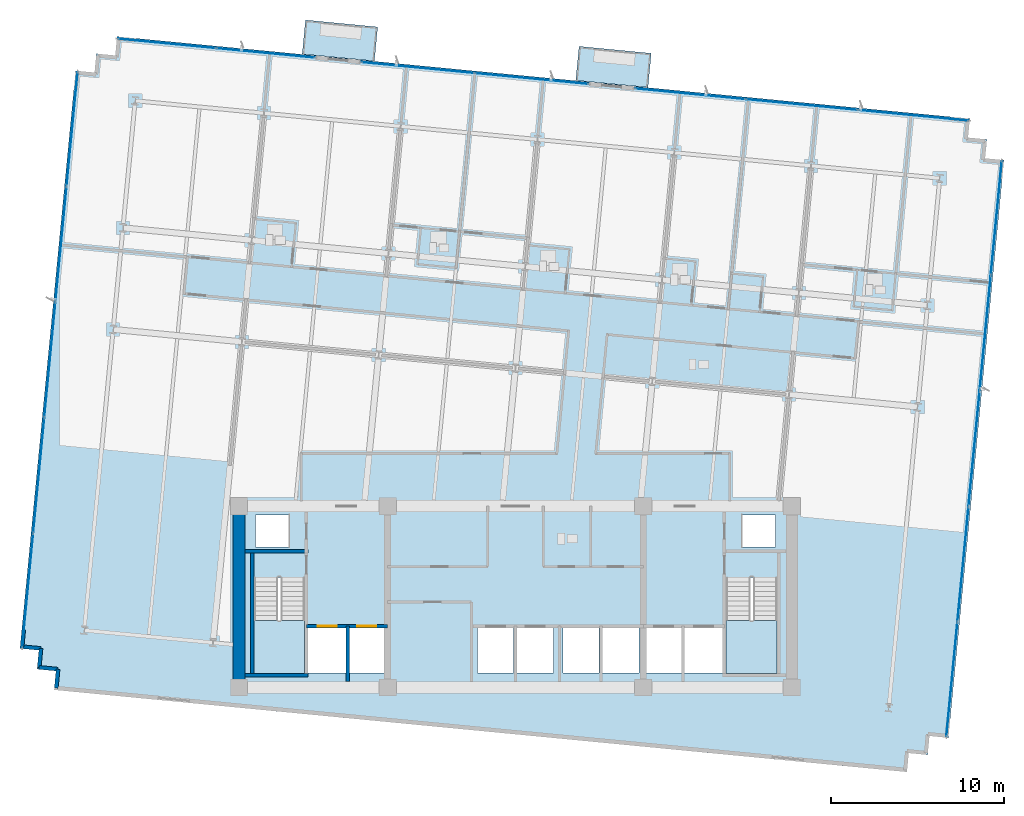
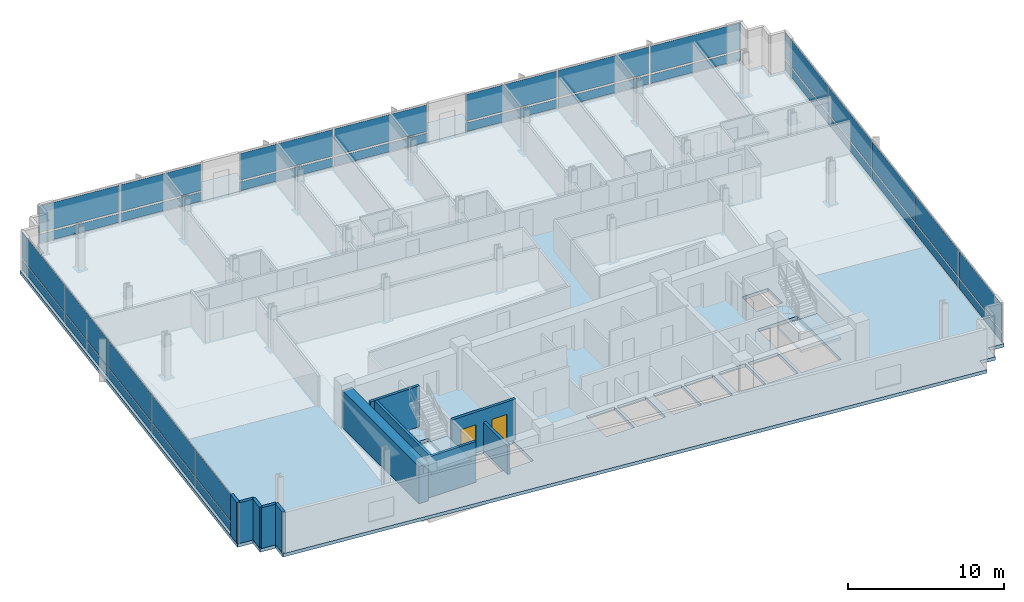
# One storey, part 9 of 17: 34 plates, 11 walls, 5 slabs, 2 doors, 2 openings, 7 elements without a shape of their own.
"""IFC4 building model written with IfcOpenShell, lengths in metres."""

from ifc_helpers import new_model, si_unit, direction, frame, frame_2d, origin, origin_2d, place, context, subcontext, project, spatial, polyline, rectangle, outline, extrude, material, layer, layer_set, type_object, element, fill, aggregate, save


model = new_model("IFC4")

# Units and contexts
model_context = context("Model", 3, precision=1e-05, world=origin(), true_north=direction((0.0, 1.0)))
body_context = subcontext(model_context, "Body", "Model", "MODEL_VIEW")
ifc_project = project(units=[si_unit("LENGTHUNIT", "METRE"), si_unit("AREAUNIT", "SQUARE_METRE"), si_unit("VOLUMEUNIT", "CUBIC_METRE"), si_unit("PLANEANGLEUNIT", "RADIAN"), si_unit("MASSUNIT", "GRAM", prefix="KILO")], contexts=[model_context])

# Site, building, storey
site_placement = place(None, origin())
site = spatial("IfcSite", under=ifc_project, at=site_placement, CompositionType="ELEMENT")
building_placement = place(site_placement, origin())
building = spatial("IfcBuilding", under=site, at=building_placement, Name="Solmavex Isthmus Hotel", CompositionType="ELEMENT")
storey_placement = place(building_placement, frame((0.0, 0.0, 142.800048828125)))
storey = spatial("IfcBuildingStorey", under=building, at=storey_placement, Name="L38", CompositionType="ELEMENT", Elevation=142.800048828125)

# Curtain wall, plates
ifc_material_1 = material(Name="Aluminium alloy 6063-T6", Category="aluminium")
curtain_wall_type = type_object("IfcCurtainWallType", Name="CW-SYS-03", PredefinedType="NOTDEFINED", material=ifc_material_1)
curtain_wall_1_placement = place(storey_placement, origin())
curtain_wall_1 = element("IfcCurtainWall", 1, at=curtain_wall_1_placement, inside=storey, type_object=curtain_wall_type, Name="Stick Curtain Wall CWL-L38-N1", PredefinedType="NOTDEFINED")
ifc_material_2 = material(Name="Clear low-E laminated glass", Category="glass")
ifc_layer_1 = layer(ifc_material_2, 0.030029296875)
ifc_layer_set_1 = layer_set([ifc_layer_1], Name="Clear low-E laminated glass")
plate_type = type_object("IfcPlateType", Name="CW-SYS-03-PNL", PredefinedType="CURTAIN_PANEL", material=ifc_layer_set_1)
plate_1_placement = place(storey_placement, frame((-20.1806640625, 24.291259765625, 0.139892578125), z_axis=(0.0, 0.0, 1.0), x_axis=(0.995396220659, -0.095845521008, 0.0)))
plate_1 = element("IfcPlate", 2, at=plate_1_placement, type_object=plate_type, Name="CW-03 panel 1.1", PredefinedType="CURTAIN_PANEL", context=body_context, shape_type="SweptSolid", body=[
    extrude(rectangle(XDim=5.677978515625, YDim=0.030029296875, at=origin_2d()), origin(), (0.0, 0.0, 1.0), 0.68994140625),
])
plate_2_placement = place(storey_placement, frame((-20.1806640625, 24.291259765625, 0.969970703125), z_axis=(0.0, 0.0, 1.0), x_axis=(0.995396220659, -0.095845521008, 0.0)))
plate_2 = element("IfcPlate", 3, at=plate_2_placement, type_object=plate_type, Name="CW-03 panel 1.2", PredefinedType="CURTAIN_PANEL", context=body_context, shape_type="SweptSolid", body=[
    extrude(rectangle(XDim=5.677978515625, YDim=0.030029296875, at=origin_2d()), origin(), (0.0, 0.0, 1.0), 2.080078125),
])
plate_3_placement = place(storey_placement, frame((-14.459228515625, 23.740234375, 0.139892578125), z_axis=(0.0, 0.0, 1.0), x_axis=(0.995396220659, -0.095845521008, 0.0)))
plate_3 = element("IfcPlate", 4, at=plate_3_placement, type_object=plate_type, Name="CW-03 panel 2.1", PredefinedType="CURTAIN_PANEL", context=body_context, shape_type="SweptSolid", body=[
    extrude(rectangle(XDim=5.677978515625, YDim=0.030029296875, at=origin_2d()), origin(), (0.0, 0.0, 1.0), 0.68994140625),
])
plate_4_placement = place(storey_placement, frame((-14.459228515625, 23.740234375, 0.969970703125), z_axis=(0.0, 0.0, 1.0), x_axis=(0.995396220659, -0.095845521008, 0.0)))
plate_4 = element("IfcPlate", 5, at=plate_4_placement, type_object=plate_type, Name="CW-03 panel 2.2", PredefinedType="CURTAIN_PANEL", context=body_context, shape_type="SweptSolid", body=[
    extrude(rectangle(XDim=5.677978515625, YDim=0.030029296875, at=origin_2d()), origin(), (0.0, 0.0, 1.0), 2.080078125),
])
aggregate(curtain_wall_1, [plate_1, plate_2, plate_3, plate_4])

curtain_wall_2_placement = place(storey_placement, origin())
curtain_wall_2 = element("IfcCurtainWall", 6, at=curtain_wall_2_placement, inside=storey, type_object=curtain_wall_type, Name="Stick Curtain Wall CWL-L38-N2", PredefinedType="NOTDEFINED")
plate_5_placement = place(storey_placement, frame((-5.645263671875, 22.8916015625, 0.139892578125), z_axis=(0.0, 0.0, 1.0), x_axis=(0.995396257521, -0.095845138178, 0.0)))
plate_5 = element("IfcPlate", 7, at=plate_5_placement, type_object=plate_type, Name="CW-03 panel 1.1", PredefinedType="CURTAIN_PANEL", context=body_context, shape_type="SweptSolid", body=[
    extrude(rectangle(XDim=6.551025390625, YDim=0.030029296875, at=origin_2d()), origin(), (0.0, 0.0, 1.0), 0.68994140625),
])
plate_6_placement = place(storey_placement, frame((-5.645263671875, 22.8916015625, 0.969970703125), z_axis=(0.0, 0.0, 1.0), x_axis=(0.995396257521, -0.095845138178, 0.0)))
plate_6 = element("IfcPlate", 8, at=plate_6_placement, type_object=plate_type, Name="CW-03 panel 1.2", PredefinedType="CURTAIN_PANEL", context=body_context, shape_type="SweptSolid", body=[
    extrude(rectangle(XDim=6.551025390625, YDim=0.030029296875, at=origin_2d()), origin(), (0.0, 0.0, 1.0), 2.080078125),
])
plate_7_placement = place(storey_placement, frame((0.945068359375, 22.257080078125, 0.139892578125), z_axis=(0.0, 0.0, 1.0), x_axis=(0.995396257521, -0.095845138178, 0.0)))
plate_7 = element("IfcPlate", 9, at=plate_7_placement, type_object=plate_type, Name="CW-03 panel 2.1", PredefinedType="CURTAIN_PANEL", context=body_context, shape_type="SweptSolid", body=[
    extrude(rectangle(XDim=6.551025390625, YDim=0.030029296875, at=origin_2d()), origin(), (0.0, 0.0, 1.0), 0.68994140625),
])
plate_8_placement = place(storey_placement, frame((0.945068359375, 22.257080078125, 0.969970703125), z_axis=(0.0, 0.0, 1.0), x_axis=(0.995396257521, -0.095845138178, 0.0)))
plate_8 = element("IfcPlate", 10, at=plate_8_placement, type_object=plate_type, Name="CW-03 panel 2.2", PredefinedType="CURTAIN_PANEL", context=body_context, shape_type="SweptSolid", body=[
    extrude(rectangle(XDim=6.551025390625, YDim=0.030029296875, at=origin_2d()), origin(), (0.0, 0.0, 1.0), 2.080078125),
])
aggregate(curtain_wall_2, [plate_5, plate_6, plate_7, plate_8])

curtain_wall_3_placement = place(storey_placement, origin())
curtain_wall_3 = element("IfcCurtainWall", 11, at=curtain_wall_3_placement, inside=storey, type_object=curtain_wall_type, Name="Stick Curtain Wall CWL-L38-N3", PredefinedType="NOTDEFINED")
plate_9_placement = place(storey_placement, frame((10.119384765625, 21.373779296875, 0.139892578125), z_axis=(0.0, 0.0, 1.0), x_axis=(0.995396200025, -0.095845735304, 0.0)))
plate_9 = element("IfcPlate", 12, at=plate_9_placement, type_object=plate_type, Name="CW-03 panel 1.1", PredefinedType="CURTAIN_PANEL", context=body_context, shape_type="SweptSolid", body=[
    extrude(rectangle(XDim=6.40234375, YDim=0.030029296875, at=origin_2d()), origin(), (0.0, 0.0, 1.0), 0.68994140625),
])
plate_10_placement = place(storey_placement, frame((10.119384765625, 21.373779296875, 0.969970703125), z_axis=(0.0, 0.0, 1.0), x_axis=(0.995396200025, -0.095845735304, 0.0)))
plate_10 = element("IfcPlate", 13, at=plate_10_placement, type_object=plate_type, Name="CW-03 panel 1.2", PredefinedType="CURTAIN_PANEL", context=body_context, shape_type="SweptSolid", body=[
    extrude(rectangle(XDim=6.40234375, YDim=0.030029296875, at=origin_2d()), origin(), (0.0, 0.0, 1.0), 2.080078125),
])
plate_11_placement = place(storey_placement, frame((16.579345703125, 20.751708984375, 0.139892578125), z_axis=(0.0, 0.0, 1.0), x_axis=(0.995396200025, -0.095845735304, 0.0)))
plate_11 = element("IfcPlate", 14, at=plate_11_placement, type_object=plate_type, Name="CW-03 panel 2.1", PredefinedType="CURTAIN_PANEL", context=body_context, shape_type="SweptSolid", body=[
    extrude(rectangle(XDim=6.437255859375, YDim=0.030029296875, at=origin_2d()), origin(), (0.0, 0.0, 1.0), 0.68994140625),
])
plate_12_placement = place(storey_placement, frame((16.579345703125, 20.751708984375, 0.969970703125), z_axis=(0.0, 0.0, 1.0), x_axis=(0.995396200025, -0.095845735304, 0.0)))
plate_12 = element("IfcPlate", 15, at=plate_12_placement, type_object=plate_type, Name="CW-03 panel 2.2", PredefinedType="CURTAIN_PANEL", context=body_context, shape_type="SweptSolid", body=[
    extrude(rectangle(XDim=6.437255859375, YDim=0.030029296875, at=origin_2d()), origin(), (0.0, 0.0, 1.0), 2.080078125),
])
plate_13_placement = place(storey_placement, frame((23.039306640625, 20.129638671875, 0.139892578125), z_axis=(0.0, 0.0, 1.0), x_axis=(0.995396200025, -0.095845735304, 0.0)))
plate_13 = element("IfcPlate", 16, at=plate_13_placement, type_object=plate_type, Name="CW-03 panel 3.1", PredefinedType="CURTAIN_PANEL", context=body_context, shape_type="SweptSolid", body=[
    extrude(rectangle(XDim=6.40234375, YDim=0.030029296875, at=origin_2d()), origin(), (0.0, 0.0, 1.0), 0.68994140625),
])
plate_14_placement = place(storey_placement, frame((23.039306640625, 20.129638671875, 0.969970703125), z_axis=(0.0, 0.0, 1.0), x_axis=(0.995396200025, -0.095845735304, 0.0)))
plate_14 = element("IfcPlate", 17, at=plate_14_placement, type_object=plate_type, Name="CW-03 panel 3.2", PredefinedType="CURTAIN_PANEL", context=body_context, shape_type="SweptSolid", body=[
    extrude(rectangle(XDim=6.40234375, YDim=0.030029296875, at=origin_2d()), origin(), (0.0, 0.0, 1.0), 2.080078125),
])
aggregate(curtain_wall_3, [plate_9, plate_10, plate_11, plate_12, plate_13, plate_14])

curtain_wall_4_placement = place(storey_placement, origin())
curtain_wall_4 = element("IfcCurtainWall", 18, at=curtain_wall_4_placement, inside=storey, type_object=curtain_wall_type, Name="Stick Curtain Wall CWL-L38-W1", PredefinedType="NOTDEFINED")
plate_15_placement = place(storey_placement, frame((-28.24267578125, -7.38427734375, 0.139892578125), z_axis=(0.0, 0.0, 1.0), x_axis=(0.09584583902, 0.995396190038, 0.0)))
plate_15 = element("IfcPlate", 19, at=plate_15_placement, type_object=plate_type, Name="CW-03 panel 1.1", PredefinedType="CURTAIN_PANEL", context=body_context, shape_type="SweptSolid", body=[
    extrude(rectangle(XDim=6.614990234375, YDim=0.030029296875, at=origin_2d()), origin(), (0.0, 0.0, 1.0), 0.68994140625),
])
plate_16_placement = place(storey_placement, frame((-28.24267578125, -7.38427734375, 0.969970703125), z_axis=(0.0, 0.0, 1.0), x_axis=(0.09584583902, 0.995396190038, 0.0)))
plate_16 = element("IfcPlate", 20, at=plate_16_placement, type_object=plate_type, Name="CW-03 panel 1.2", PredefinedType="CURTAIN_PANEL", context=body_context, shape_type="SweptSolid", body=[
    extrude(rectangle(XDim=6.614990234375, YDim=0.030029296875, at=origin_2d()), origin(), (0.0, 0.0, 1.0), 2.080078125),
])
plate_17_placement = place(storey_placement, frame((-27.600341796875, -0.712646484375, 0.139892578125), z_axis=(0.0, 0.0, 1.0), x_axis=(0.09584583902, 0.995396190038, 0.0)))
plate_17 = element("IfcPlate", 21, at=plate_17_placement, type_object=plate_type, Name="CW-03 panel 2.1", PredefinedType="CURTAIN_PANEL", context=body_context, shape_type="SweptSolid", body=[
    extrude(rectangle(XDim=6.64990234375, YDim=0.030029296875, at=origin_2d()), origin(), (0.0, 0.0, 1.0), 0.68994140625),
])
plate_18_placement = place(storey_placement, frame((-27.600341796875, -0.712646484375, 0.969970703125), z_axis=(0.0, 0.0, 1.0), x_axis=(0.09584583902, 0.995396190038, 0.0)))
plate_18 = element("IfcPlate", 22, at=plate_18_placement, type_object=plate_type, Name="CW-03 panel 2.2", PredefinedType="CURTAIN_PANEL", context=body_context, shape_type="SweptSolid", body=[
    extrude(rectangle(XDim=6.64990234375, YDim=0.030029296875, at=origin_2d()), origin(), (0.0, 0.0, 1.0), 2.080078125),
])
plate_19_placement = place(storey_placement, frame((-26.956298828125, 5.976318359375, 0.139892578125), z_axis=(0.0, 0.0, 1.0), x_axis=(0.09584583902, 0.995396190038, 0.0)))
plate_19 = element("IfcPlate", 23, at=plate_19_placement, type_object=plate_type, Name="CW-03 panel 3.1", PredefinedType="CURTAIN_PANEL", context=body_context, shape_type="SweptSolid", body=[
    extrude(rectangle(XDim=6.64990234375, YDim=0.030029296875, at=origin_2d()), origin(), (0.0, 0.0, 1.0), 0.68994140625),
])
plate_20_placement = place(storey_placement, frame((-26.956298828125, 5.976318359375, 0.969970703125), z_axis=(0.0, 0.0, 1.0), x_axis=(0.09584583902, 0.995396190038, 0.0)))
plate_20 = element("IfcPlate", 24, at=plate_20_placement, type_object=plate_type, Name="CW-03 panel 3.2", PredefinedType="CURTAIN_PANEL", context=body_context, shape_type="SweptSolid", body=[
    extrude(rectangle(XDim=6.64990234375, YDim=0.030029296875, at=origin_2d()), origin(), (0.0, 0.0, 1.0), 2.080078125),
])
plate_21_placement = place(storey_placement, frame((-26.312255859375, 12.665283203125, 0.139892578125), z_axis=(0.0, 0.0, 1.0), x_axis=(0.09584583902, 0.995396190038, 0.0)))
plate_21 = element("IfcPlate", 25, at=plate_21_placement, type_object=plate_type, Name="CW-03 panel 4.1", PredefinedType="CURTAIN_PANEL", context=body_context, shape_type="SweptSolid", body=[
    extrude(rectangle(XDim=6.64990234375, YDim=0.030029296875, at=origin_2d()), origin(), (0.0, 0.0, 1.0), 0.68994140625),
])
plate_22_placement = place(storey_placement, frame((-26.312255859375, 12.665283203125, 0.969970703125), z_axis=(0.0, 0.0, 1.0), x_axis=(0.09584583902, 0.995396190038, 0.0)))
plate_22 = element("IfcPlate", 26, at=plate_22_placement, type_object=plate_type, Name="CW-03 panel 4.2", PredefinedType="CURTAIN_PANEL", context=body_context, shape_type="SweptSolid", body=[
    extrude(rectangle(XDim=6.64990234375, YDim=0.030029296875, at=origin_2d()), origin(), (0.0, 0.0, 1.0), 2.080078125),
])
plate_23_placement = place(storey_placement, frame((-25.669677734375, 19.337158203125, 0.139892578125), z_axis=(0.0, 0.0, 1.0), x_axis=(0.09584583902, 0.995396190038, 0.0)))
plate_23 = element("IfcPlate", 27, at=plate_23_placement, type_object=plate_type, Name="CW-03 panel 5.1", PredefinedType="CURTAIN_PANEL", context=body_context, shape_type="SweptSolid", body=[
    extrude(rectangle(XDim=6.614990234375, YDim=0.030029296875, at=origin_2d()), origin(), (0.0, 0.0, 1.0), 0.68994140625),
])
plate_24_placement = place(storey_placement, frame((-25.669677734375, 19.337158203125, 0.969970703125), z_axis=(0.0, 0.0, 1.0), x_axis=(0.09584583902, 0.995396190038, 0.0)))
plate_24 = element("IfcPlate", 28, at=plate_24_placement, type_object=plate_type, Name="CW-03 panel 5.2", PredefinedType="CURTAIN_PANEL", context=body_context, shape_type="SweptSolid", body=[
    extrude(rectangle(XDim=6.614990234375, YDim=0.030029296875, at=origin_2d()), origin(), (0.0, 0.0, 1.0), 2.080078125),
])
aggregate(curtain_wall_4, [plate_15, plate_16, plate_17, plate_18, plate_19, plate_20, plate_21, plate_22, plate_23, plate_24])

curtain_wall_5_placement = place(storey_placement, origin())
curtain_wall_5 = element("IfcCurtainWall", 29, at=curtain_wall_5_placement, inside=storey, type_object=curtain_wall_type, Name="Stick Curtain Wall CWL-L38-E1", PredefinedType="NOTDEFINED")
plate_25_placement = place(storey_placement, frame((25.269775390625, -12.537109375, 0.139892578125), z_axis=(0.0, 0.0, 1.0), x_axis=(0.09584583902, 0.995396190038, 0.0)))
plate_25 = element("IfcPlate", 30, at=plate_25_placement, type_object=plate_type, Name="CW-03 panel 1.1", PredefinedType="CURTAIN_PANEL", context=body_context, shape_type="SweptSolid", body=[
    extrude(rectangle(XDim=6.614990234375, YDim=0.030029296875, at=origin_2d()), origin(), (0.0, 0.0, 1.0), 0.68994140625),
])
plate_26_placement = place(storey_placement, frame((25.269775390625, -12.537109375, 0.969970703125), z_axis=(0.0, 0.0, 1.0), x_axis=(0.09584583902, 0.995396190038, 0.0)))
plate_26 = element("IfcPlate", 31, at=plate_26_placement, type_object=plate_type, Name="CW-03 panel 1.2", PredefinedType="CURTAIN_PANEL", context=body_context, shape_type="SweptSolid", body=[
    extrude(rectangle(XDim=6.614990234375, YDim=0.030029296875, at=origin_2d()), origin(), (0.0, 0.0, 1.0), 2.080078125),
])
plate_27_placement = place(storey_placement, frame((25.912109375, -5.865478515625, 0.139892578125), z_axis=(0.0, 0.0, 1.0), x_axis=(0.09584583902, 0.995396190038, 0.0)))
plate_27 = element("IfcPlate", 32, at=plate_27_placement, type_object=plate_type, Name="CW-03 panel 2.1", PredefinedType="CURTAIN_PANEL", context=body_context, shape_type="SweptSolid", body=[
    extrude(rectangle(XDim=6.64990234375, YDim=0.030029296875, at=origin_2d()), origin(), (0.0, 0.0, 1.0), 0.68994140625),
])
plate_28_placement = place(storey_placement, frame((25.912109375, -5.865478515625, 0.969970703125), z_axis=(0.0, 0.0, 1.0), x_axis=(0.09584583902, 0.995396190038, 0.0)))
plate_28 = element("IfcPlate", 33, at=plate_28_placement, type_object=plate_type, Name="CW-03 panel 2.2", PredefinedType="CURTAIN_PANEL", context=body_context, shape_type="SweptSolid", body=[
    extrude(rectangle(XDim=6.64990234375, YDim=0.030029296875, at=origin_2d()), origin(), (0.0, 0.0, 1.0), 2.080078125),
])
plate_29_placement = place(storey_placement, frame((26.55615234375, 0.82373046875, 0.139892578125), z_axis=(0.0, 0.0, 1.0), x_axis=(0.09584583902, 0.995396190038, 0.0)))
plate_29 = element("IfcPlate", 34, at=plate_29_placement, type_object=plate_type, Name="CW-03 panel 3.1", PredefinedType="CURTAIN_PANEL", context=body_context, shape_type="SweptSolid", body=[
    extrude(rectangle(XDim=6.64990234375, YDim=0.030029296875, at=origin_2d()), origin(), (0.0, 0.0, 1.0), 0.68994140625),
])
plate_30_placement = place(storey_placement, frame((26.55615234375, 0.82373046875, 0.969970703125), z_axis=(0.0, 0.0, 1.0), x_axis=(0.09584583902, 0.995396190038, 0.0)))
plate_30 = element("IfcPlate", 35, at=plate_30_placement, type_object=plate_type, Name="CW-03 panel 3.2", PredefinedType="CURTAIN_PANEL", context=body_context, shape_type="SweptSolid", body=[
    extrude(rectangle(XDim=6.64990234375, YDim=0.030029296875, at=origin_2d()), origin(), (0.0, 0.0, 1.0), 2.080078125),
])
plate_31_placement = place(storey_placement, frame((27.200439453125, 7.5126953125, 0.139892578125), z_axis=(0.0, 0.0, 1.0), x_axis=(0.09584583902, 0.995396190038, 0.0)))
plate_31 = element("IfcPlate", 36, at=plate_31_placement, type_object=plate_type, Name="CW-03 panel 4.1", PredefinedType="CURTAIN_PANEL", context=body_context, shape_type="SweptSolid", body=[
    extrude(rectangle(XDim=6.64990234375, YDim=0.030029296875, at=origin_2d()), origin(), (0.0, 0.0, 1.0), 0.68994140625),
])
plate_32_placement = place(storey_placement, frame((27.200439453125, 7.5126953125, 0.969970703125), z_axis=(0.0, 0.0, 1.0), x_axis=(0.09584583902, 0.995396190038, 0.0)))
plate_32 = element("IfcPlate", 37, at=plate_32_placement, type_object=plate_type, Name="CW-03 panel 4.2", PredefinedType="CURTAIN_PANEL", context=body_context, shape_type="SweptSolid", body=[
    extrude(rectangle(XDim=6.64990234375, YDim=0.030029296875, at=origin_2d()), origin(), (0.0, 0.0, 1.0), 2.080078125),
])
plate_33_placement = place(storey_placement, frame((27.8427734375, 14.184326171875, 0.139892578125), z_axis=(0.0, 0.0, 1.0), x_axis=(0.09584583902, 0.995396190038, 0.0)))
plate_33 = element("IfcPlate", 38, at=plate_33_placement, type_object=plate_type, Name="CW-03 panel 5.1", PredefinedType="CURTAIN_PANEL", context=body_context, shape_type="SweptSolid", body=[
    extrude(rectangle(XDim=6.614990234375, YDim=0.030029296875, at=origin_2d()), origin(), (0.0, 0.0, 1.0), 0.68994140625),
])
plate_34_placement = place(storey_placement, frame((27.8427734375, 14.184326171875, 0.969970703125), z_axis=(0.0, 0.0, 1.0), x_axis=(0.09584583902, 0.995396190038, 0.0)))
plate_34 = element("IfcPlate", 39, at=plate_34_placement, type_object=plate_type, Name="CW-03 panel 5.2", PredefinedType="CURTAIN_PANEL", context=body_context, shape_type="SweptSolid", body=[
    extrude(rectangle(XDim=6.614990234375, YDim=0.030029296875, at=origin_2d()), origin(), (0.0, 0.0, 1.0), 2.080078125),
])
aggregate(curtain_wall_5, [plate_25, plate_26, plate_27, plate_28, plate_29, plate_30, plate_31, plate_32, plate_33, plate_34])

# Slabs
ifc_material_3 = material(Name="Concrete C40/50", Category="concrete")
ifc_layer_2 = layer(ifc_material_3, 0.239990234375)
ifc_layer_set_2 = layer_set([ifc_layer_2], Name="Concrete C40/50")
slab_type_1 = type_object("IfcSlabType", Name="SLAB-BALC-240", PredefinedType="FLOOR", material=ifc_layer_set_2)
slab_1_placement = place(storey_placement, frame((0.0, 0.0, -0.239990234375)))
element("IfcSlab", 40, at=slab_1_placement, inside=storey, type_object=slab_type_1, Name="Tree-Planter Balcony Slab L38-B1", PredefinedType="FLOOR", context=body_context, shape_type="SweptSolid", body=[
    extrude(outline(polyline([(-12.346923828125, 23.672607421875), (-8.166259765625, 23.27001953125), (-7.97607421875, 25.245849609375), (-12.15673828125, 25.6484375), (-12.346923828125, 23.672607421875)])), origin(), (0.0, 0.0, 1.0), 0.239990234375),
])
slab_2_placement = place(storey_placement, frame((0.0, 0.0, -0.239990234375)))
element("IfcSlab", 41, at=slab_2_placement, inside=storey, type_object=slab_type_1, Name="Tree-Planter Balcony Slab L38-B2", PredefinedType="FLOOR", context=body_context, shape_type="SweptSolid", body=[
    extrude(outline(polyline([(3.491943359375, 22.1474609375), (7.672607421875, 21.744873046875), (7.86279296875, 23.720703125), (3.68212890625, 24.123291015625), (3.491943359375, 22.1474609375)])), origin(), (0.0, 0.0, 1.0), 0.239990234375),
])
ifc_layer_3 = layer(ifc_material_3, 0.260009765625)
ifc_layer_set_3 = layer_set([ifc_layer_3], Name="Concrete C40/50")
slab_type_2 = type_object("IfcSlabType", Name="SLAB-TYP-260", PredefinedType="FLOOR", material=ifc_layer_set_3)
slab_3_placement = place(storey_placement, frame((0.0, 0.0, -0.260009765625)))
element("IfcSlab", 42, at=slab_3_placement, inside=storey, type_object=slab_type_2, Name="Tower Structural Floor Slab L38", PredefinedType="FLOOR", context=body_context, shape_type="SweptSolid", body=[
    extrude(outline(polyline([(-25.612060546875, -13.240966796875), (21.56982421875, -17.7841796875), (22.664794921875, -17.889404296875), (22.770263671875, -16.794677734375), (23.865234375, -16.89990234375), (23.970458984375, -15.80517578125), (25.0654296875, -15.910400390625), (25.1708984375, -14.815673828125), (28.180419921875, 16.43994140625), (28.285888671875, 17.534912109375), (27.19091796875, 17.64013671875), (27.29638671875, 18.735107421875), (26.201416015625, 18.840576171875), (26.306884765625, 19.935546875), (25.2119140625, 20.041015625), (-21.9697265625, 24.583984375), (-23.064697265625, 24.689453125), (-23.170166015625, 23.594482421875), (-24.26513671875, 23.699951171875), (-24.37060546875, 22.60498046875), (-25.465576171875, 22.71044921875), (-25.57080078125, 21.615478515625), (-28.58056640625, -9.639892578125), (-28.685791015625, -10.73486328125), (-27.591064453125, -10.84033203125), (-27.6962890625, -11.935302734375), (-26.6015625, -12.04052734375), (-26.706787109375, -13.135498046875), (-25.612060546875, -13.240966796875)]), holes=[polyline([(-15.14990234375, -6.617919921875), (-15.14990234375, -12.199951171875), (-12.199951171875, -12.199951171875), (-12.199951171875, -6.617919921875), (-15.14990234375, -6.617919921875)]), polyline([(12.199951171875, -6.617919921875), (12.199951171875, -12.199951171875), (15.14990234375, -12.199951171875), (15.14990234375, -6.617919921875), (12.199951171875, -6.617919921875)]), polyline([(-12.0, -12.14990234375), (-9.800048828125, -12.14990234375), (-9.800048828125, -9.550048828125), (-12.0, -9.550048828125), (-12.0, -12.14990234375)]), polyline([(9.800048828125, -12.14990234375), (12.0, -12.14990234375), (12.0, -9.550048828125), (9.800048828125, -9.550048828125), (9.800048828125, -12.14990234375)]), polyline([(-9.60009765625, -12.14990234375), (-7.60009765625, -12.14990234375), (-7.60009765625, -9.550048828125), (-9.60009765625, -9.550048828125), (-9.60009765625, -12.14990234375)]), polyline([(7.60009765625, -12.14990234375), (9.60009765625, -12.14990234375), (9.60009765625, -9.550048828125), (7.60009765625, -9.550048828125), (7.60009765625, -12.14990234375)]), polyline([(-2.199951171875, -12.14990234375), (-0.10009765625, -12.14990234375), (-0.10009765625, -9.550048828125), (-2.199951171875, -9.550048828125), (-2.199951171875, -12.14990234375)]), polyline([(0.10009765625, -12.14990234375), (2.199951171875, -12.14990234375), (2.199951171875, -9.550048828125), (0.10009765625, -9.550048828125), (0.10009765625, -12.14990234375)]), polyline([(2.75, -12.14990234375), (4.85009765625, -12.14990234375), (4.85009765625, -9.550048828125), (2.75, -9.550048828125), (2.75, -12.14990234375)]), polyline([(5.050048828125, -12.14990234375), (7.14990234375, -12.14990234375), (7.14990234375, -9.550048828125), (5.050048828125, -9.550048828125), (5.050048828125, -12.14990234375)]), polyline([(-15.050048828125, -4.85009765625), (-13.14990234375, -4.85009765625), (-13.14990234375, -3.0), (-15.050048828125, -3.0), (-15.050048828125, -4.85009765625)]), polyline([(13.14990234375, -4.85009765625), (15.050048828125, -4.85009765625), (15.050048828125, -3.0), (13.14990234375, -3.0), (13.14990234375, -4.85009765625)])]), origin(), (0.0, 0.0, 1.0), 0.260009765625),
])

# Stair, slab
stair_type_1 = type_object("IfcStairType", Name="STR-ST-1", PredefinedType="HALF_TURN_STAIR", material=ifc_material_3)
stair_1_placement = place(storey_placement, origin())
stair_1 = element("IfcStair", 43, at=stair_1_placement, inside=storey, type_object=stair_type_1, Name="L38 Protected Exit Stair ST-1", PredefinedType="HALF_TURN_STAIR")
ifc_layer_4 = layer(ifc_material_3, 0.219970703125)
ifc_layer_set_4 = layer_set([ifc_layer_4], Name="Concrete C40/50")
slab_type_3 = type_object("IfcSlabType", Name="SLD-ST-1", PredefinedType="LANDING", material=ifc_layer_set_4)
slab_4_placement = place(storey_placement, frame((0.0, 0.0, 1.52490234375)))
slab_4 = element("IfcSlab", 44, at=slab_4_placement, type_object=slab_type_3, Name="ST-1 landing 1", PredefinedType="LANDING", context=body_context, shape_type="SweptSolid", body=[
    extrude(outline(polyline([(-15.14990234375, -9.1201171875), (-15.14990234375, -12.199951171875), (-12.199951171875, -12.199951171875), (-12.199951171875, -9.1201171875), (-15.14990234375, -9.1201171875)])), origin(), (0.0, 0.0, 1.0), 0.199951171875),
])
aggregate(stair_1, [slab_4])

stair_type_2 = type_object("IfcStairType", Name="STR-ST-2", PredefinedType="HALF_TURN_STAIR", material=ifc_material_3)
stair_2_placement = place(storey_placement, origin())
stair_2 = element("IfcStair", 45, at=stair_2_placement, inside=storey, type_object=stair_type_2, Name="L38 Protected Exit Stair ST-2", PredefinedType="HALF_TURN_STAIR")
ifc_layer_5 = layer(ifc_material_3, 0.219970703125)
ifc_layer_set_5 = layer_set([ifc_layer_5], Name="Concrete C40/50")
slab_type_4 = type_object("IfcSlabType", Name="SLD-ST-2", PredefinedType="LANDING", material=ifc_layer_set_5)
slab_5_placement = place(storey_placement, frame((0.0, 0.0, 1.52490234375)))
slab_5 = element("IfcSlab", 46, at=slab_5_placement, type_object=slab_type_4, Name="ST-2 landing 1", PredefinedType="LANDING", context=body_context, shape_type="SweptSolid", body=[
    extrude(outline(polyline([(12.199951171875, -9.1201171875), (12.199951171875, -12.199951171875), (15.14990234375, -12.199951171875), (15.14990234375, -9.1201171875), (12.199951171875, -9.1201171875)])), origin(), (0.0, 0.0, 1.0), 0.199951171875),
])
aggregate(stair_2, [slab_5])

# Walls
ifc_material_4 = material(Name="Precast Concrete C40/50", Category="concrete")
ifc_layer_6 = layer(ifc_material_4, 0.25)
ifc_layer_set_6 = layer_set([ifc_layer_6], Name="Precast Concrete C40/50")
wall_type_1 = type_object("IfcWallType", Name="EW-TWR-250", PredefinedType="STANDARD", material=ifc_layer_set_6)
for number, where, z_axis, x_axis, name in (
    (47, (-26.5869140625, -13.03662109375, 0.0), (0.0, 0.0, 1.0), (0.095877334176, 0.995393156894, 0.0), "Serrated Corner Facade Panel L38-01"),
    (48, (-26.4814453125, -11.941650390625, 0.0), (0.0, 0.0, 1.0), (-0.995393156894, 0.095877334176, 0.0), "Serrated Corner Facade Panel L38-02"),
    (49, (-27.576416015625, -11.836181640625, 0.0), (0.0, 0.0, 1.0), (0.095877334176, 0.995393156894, 0.0), "Serrated Corner Facade Panel L38-03"),
    (50, (-27.470947265625, -10.7412109375, 0.0), (0.0, 0.0, 1.0), (-0.995414313875, 0.095657429048, 0.0), "Serrated Corner Facade Panel L38-04"),
):
    element("IfcWall", number, at=place(storey_placement, frame(where, z_axis=z_axis, x_axis=x_axis)), inside=storey, type_object=wall_type_1, Name=name, PredefinedType="STANDARD", context=body_context, shape_type="SweptSolid", body=[
        extrude(rectangle(XDim=1.10009765625, YDim=0.219970703125, at=frame_2d((0.550048828125, 0.0))), origin(), (0.0, 0.0, 1.0), 3.18994140625),
    ])
wall_1_placement = place(storey_placement, frame((-28.56591796875, -10.635986328125, 0.0), z_axis=(0.0, 0.0, 1.0), x_axis=(0.095914428506, 0.995389583231, 0.0)))
element("IfcWall", 51, at=wall_1_placement, inside=storey, type_object=wall_type_1, Name="Serrated Corner Facade Panel L38-05", PredefinedType="STANDARD", context=body_context, shape_type="SweptSolid", body=[
    extrude(rectangle(XDim=0.990234375, YDim=0.219970703125, at=frame_2d((0.4951171875, 0.0))), origin(), (0.0, 0.0, 1.0), 3.18994140625),
])

# Wall, openings, doors
ifc_layer_7 = layer(ifc_material_3, 0.199951171875)
ifc_layer_set_7 = layer_set([ifc_layer_7], Name="Concrete C40/50")
wall_type_2 = type_object("IfcWallType", Name="IW-SHAFT-200", PredefinedType="PARTITIONING", material=ifc_layer_set_7)
wall_2_placement = place(storey_placement, frame((-12.10009765625, -9.449951171875, 0.0), z_axis=(0.0, 0.0, 1.0), x_axis=(1.0, 0.0, 0.0)))
wall_2 = element("IfcWall", 52, at=wall_2_placement, inside=storey, type_object=wall_type_2, Name="Interior Partition Wall W-L38-FFLW-S", PredefinedType="PARTITIONING", context=body_context, shape_type="SweptSolid", body=[
    extrude(rectangle(XDim=4.7001953125, YDim=0.199951171875, at=frame_2d((2.35009765625, 0.0))), origin(), (0.0, 0.0, 1.0), 3.18994140625),
])
opening_1_placement = place(wall_2_placement, frame((0.64990234375, 0.0, 0.0)))
opening_1 = element("IfcOpeningElement", 53, at=opening_1_placement, cuts=wall_2, Name="Opening LD-FF", PredefinedType="OPENING", context=body_context, shape_type="SweptSolid", body=[
    extrude(rectangle(XDim=1.10009765625, YDim=2.199951171875, at=frame_2d((0.550048828125, 1.10009765625))), frame((0.0, 0.10986328125, 0.0), z_axis=(0.0, -1.0, 0.0), x_axis=(1.0, 0.0, 0.0)), (0.0, 0.0, 1.0), 0.219970703125),
])
opening_2_placement = place(wall_2_placement, frame((2.949951171875, 0.0, 0.0)))
opening_2 = element("IfcOpeningElement", 54, at=opening_2_placement, cuts=wall_2, Name="Opening LD-SV", PredefinedType="OPENING", context=body_context, shape_type="SweptSolid", body=[
    extrude(rectangle(XDim=1.10009765625, YDim=2.199951171875, at=frame_2d((0.550048828125, 1.10009765625))), frame((0.0, 0.10986328125, 0.0), z_axis=(0.0, -1.0, 0.0), x_axis=(1.0, 0.0, 0.0)), (0.0, 0.0, 1.0), 0.219970703125),
])
ifc_material_5 = material(Name="Stainless steel 316", Category="steel")
door_type_1 = type_object("IfcDoorType", Name="LDR-FF-1100", OperationType="NOTDEFINED", PredefinedType="DOOR", material=ifc_material_5)
door_1_placement = place(opening_1_placement, origin())
door_1 = element("IfcDoor", 55, at=door_1_placement, inside=storey, type_object=door_type_1, Name="Lift Landing Door FFL-1 L38", OperationType="SLIDING_TO_LEFT", OverallHeight=2.199951171875, OverallWidth=1.10009765625, PredefinedType="DOOR", context=body_context, shape_type="SweptSolid", body=[
    extrude(rectangle(XDim=1.10009765625, YDim=2.199951171875, at=frame_2d((0.550048828125, 1.10009765625))), frame((0.0, 0.02490234375, 0.0), z_axis=(0.0, -1.0, 0.0), x_axis=(1.0, 0.0, 0.0)), (0.0, 0.0, 1.0), 0.050048828125),
])
fill(opening_1, door_1)
door_type_2 = type_object("IfcDoorType", Name="LDR-SV-1100", OperationType="NOTDEFINED", PredefinedType="DOOR", material=ifc_material_5)
door_2_placement = place(opening_2_placement, origin())
door_2 = element("IfcDoor", 56, at=door_2_placement, inside=storey, type_object=door_type_2, Name="Lift Landing Door SVL-1 L38", OperationType="SLIDING_TO_RIGHT", OverallHeight=2.199951171875, OverallWidth=1.10009765625, PredefinedType="DOOR", context=body_context, shape_type="SweptSolid", body=[
    extrude(rectangle(XDim=1.10009765625, YDim=2.199951171875, at=frame_2d((0.550048828125, 1.10009765625))), frame((0.0, 0.02490234375, 0.0), z_axis=(0.0, -1.0, 0.0), x_axis=(1.0, 0.0, 0.0)), (0.0, 0.0, 1.0), 0.050048828125),
])
fill(opening_2, door_2)

# Walls
wall_3_placement = place(storey_placement, frame((-9.699951171875, -12.64990234375, 0.0), z_axis=(0.0, 0.0, 1.0), x_axis=(0.0, 1.0, 0.0)))
element("IfcWall", 57, at=wall_3_placement, inside=storey, type_object=wall_type_2, Name="Interior Partition Wall W-L38-FFLW-M", PredefinedType="PARTITIONING", context=body_context, shape_type="SweptSolid", body=[
    extrude(rectangle(XDim=3.199951171875, YDim=0.199951171875, at=frame_2d((1.60009765625, 0.0))), origin(), (0.0, 0.0, 1.0), 2.224853515625),
])
ifc_material_6 = material(Name="Concrete C60/75", Category="concrete")
ifc_layer_8 = layer(ifc_material_6, 0.699951171875)
ifc_layer_set_8 = layer_set([ifc_layer_8], Name="Concrete C60/75")
wall_type_3 = type_object("IfcWallType", Name="WALL-CW-700", PredefinedType="SHEAR", material=ifc_layer_set_8)
wall_4_placement = place(storey_placement, frame((-16.0, -12.64990234375, 0.0), z_axis=(0.0, 0.0, 1.0), x_axis=(0.0, 1.0, 0.0)))
element("IfcWall", 58, at=wall_4_placement, inside=storey, type_object=wall_type_3, Name="Core Shear Wall West L38", PredefinedType="SHEAR", context=body_context, shape_type="SweptSolid", body=[
    extrude(rectangle(XDim=9.7998046875, YDim=0.699951171875, at=frame_2d((4.89990234375, 0.0))), origin(), (0.0, 0.0, 1.0), 2.909912109375),
])
ifc_layer_9 = layer(ifc_material_3, 0.199951171875)
ifc_layer_set_9 = layer_set([ifc_layer_9], Name="Concrete C40/50")
wall_type_4 = type_object("IfcWallType", Name="WALL-SW-200", PredefinedType="SOLIDWALL", material=ifc_layer_set_9)
for number, where, z_axis, x_axis, name in (
    (59, (-15.64990234375, -12.300048828125, 0.0), (0.0, 0.0, 1.0), (1.0, 0.0, 0.0), "Stairwell Structural Wall SW-L38-ST1-S"),
    (60, (-15.64990234375, -5.10009765625, 0.0), (0.0, 0.0, 1.0), (1.0, 0.0, 0.0), "Stairwell Structural Wall SW-L38-ST1-N"),
):
    element("IfcWall", number, at=place(storey_placement, frame(where, z_axis=z_axis, x_axis=x_axis)), inside=storey, type_object=wall_type_4, Name=name, PredefinedType="SOLIDWALL", context=body_context, shape_type="SweptSolid", body=[
        extrude(rectangle(XDim=3.64990234375, YDim=0.199951171875, at=frame_2d((1.824951171875, 0.0))), origin(), (0.0, 0.0, 1.0), 3.18994140625),
    ])
wall_5_placement = place(storey_placement, frame((-15.25, -12.199951171875, 0.0), z_axis=(0.0, 0.0, 1.0), x_axis=(0.0, 1.0, 0.0)))
element("IfcWall", 61, at=wall_5_placement, inside=storey, type_object=wall_type_4, Name="Stairwell Structural Wall SW-L38-ST1-W", PredefinedType="SOLIDWALL", context=body_context, shape_type="SweptSolid", body=[
    extrude(rectangle(XDim=7.0, YDim=0.199951171875, at=frame_2d((3.5, 0.0))), origin(), (0.0, 0.0, 1.0), 3.18994140625),
])

save(model, "model.ifc")
